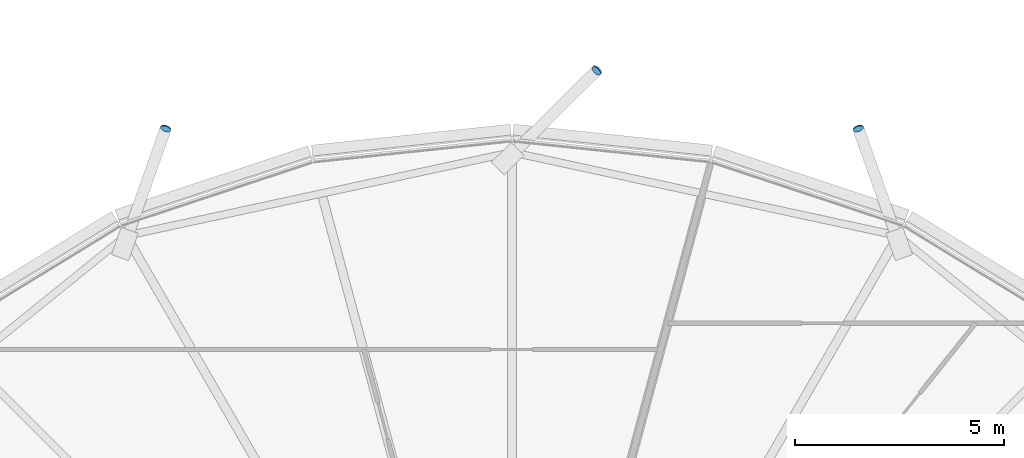
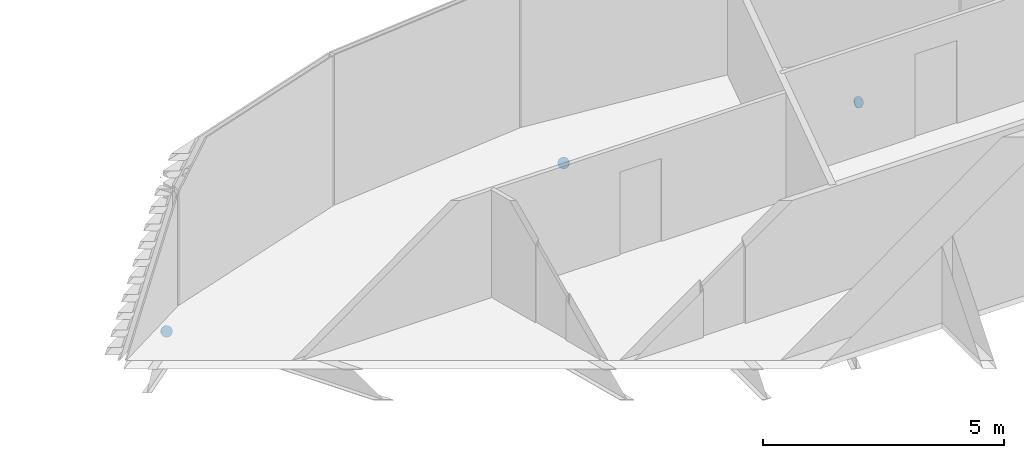
# One storey, part 25 of 33: 3 discrete accessories.
"""IFC4 building model written with IfcOpenShell, lengths in metres."""

from ifc_helpers import new_model, si_unit, direction, frame, origin, origin_2d, place, context, subcontext, project, spatial, circle, extrude, material, material_profile, profile_set, type_object, element, save


model = new_model("IFC4")

# Units and contexts
model_context = context("Model", 3, precision=1e-05, world=origin(), true_north=direction((0.0, 1.0)))
body_context = subcontext(model_context, "Body", "Model", "MODEL_VIEW")
ifc_project = project(units=[si_unit("LENGTHUNIT", "METRE"), si_unit("AREAUNIT", "SQUARE_METRE"), si_unit("VOLUMEUNIT", "CUBIC_METRE"), si_unit("PLANEANGLEUNIT", "RADIAN"), si_unit("MASSUNIT", "GRAM", prefix="KILO")], contexts=[model_context])

# Site, building, storey
site_placement = place(None, origin())
site = spatial("IfcSite", under=ifc_project, at=site_placement, CompositionType="ELEMENT")
building_placement = place(site_placement, origin())
building = spatial("IfcBuilding", under=site, at=building_placement, Name="Rimbun Link Towers", CompositionType="ELEMENT")
storey_placement = place(building_placement, frame((0.0, 0.0, 240.89990234375)))
storey = spatial("IfcBuildingStorey", under=building, at=storey_placement, Name="L59", CompositionType="ELEMENT", Elevation=240.89990234375)

# Discrete accessories
ifc_material = material(Name="Steel S355J2H", Category="steel")
ifc_material_profile = material_profile(ifc_material, circle(Radius=0.1240234375, at=origin_2d()), Name="PL D248")
ifc_profile_set = profile_set([ifc_material_profile], Name="Steel S355J2H")
discrete_accessory_type = type_object("IfcDiscreteAccessoryType", Name="Link foot sealing plate D248X20", PredefinedType="BRACKET", material=ifc_profile_set)
for number, where, z_axis, x_axis, name in (
    (1, (-23.462646484375, 18.5458984375, -2.44189453125), (-0.2802794651, 0.804280204199, -0.524000739099), (-0.944303613372, -0.32907550163, 0.0), "Link foot sealing plate T1 L59 04"),
    (2, (-29.734619140625, 19.93310546875, -2.626953125), (0.596939856305, 0.596939856305, -0.53602762607), (-0.707106781187, 0.707106781187, 0.0), "Link foot sealing plate T1 L59 06"),
    (3, (-40.037353515625, 18.5458984375, -2.44189453125), (0.2802794651, 0.804280204199, -0.524000739099), (-0.944303613372, 0.32907550163, 0.0), "Link foot sealing plate T1 L59 08"),
):
    element("IfcDiscreteAccessory", number, at=place(storey_placement, frame(where, z_axis=z_axis, x_axis=x_axis)), inside=storey, type_object=discrete_accessory_type, Name=name, PredefinedType="BRACKET", context=body_context, shape_type="SweptSolid", body=[
        extrude(circle(Radius=0.1240234375, at=origin_2d()), origin(), (0.0, 0.0, 1.0), 0.02001953125),
    ])

save(model, "model.ifc")
